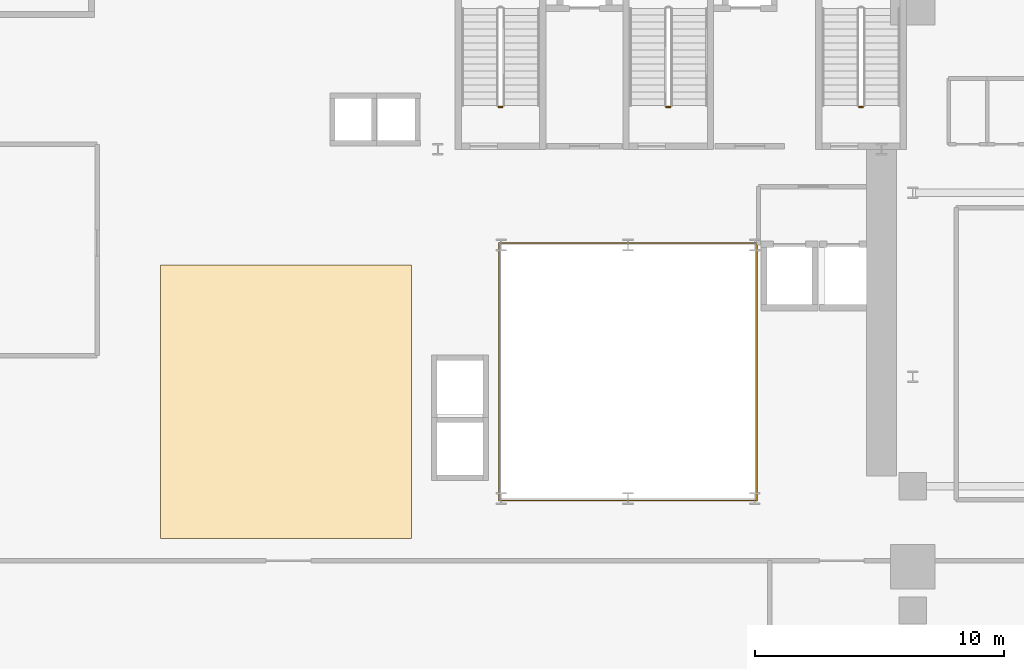
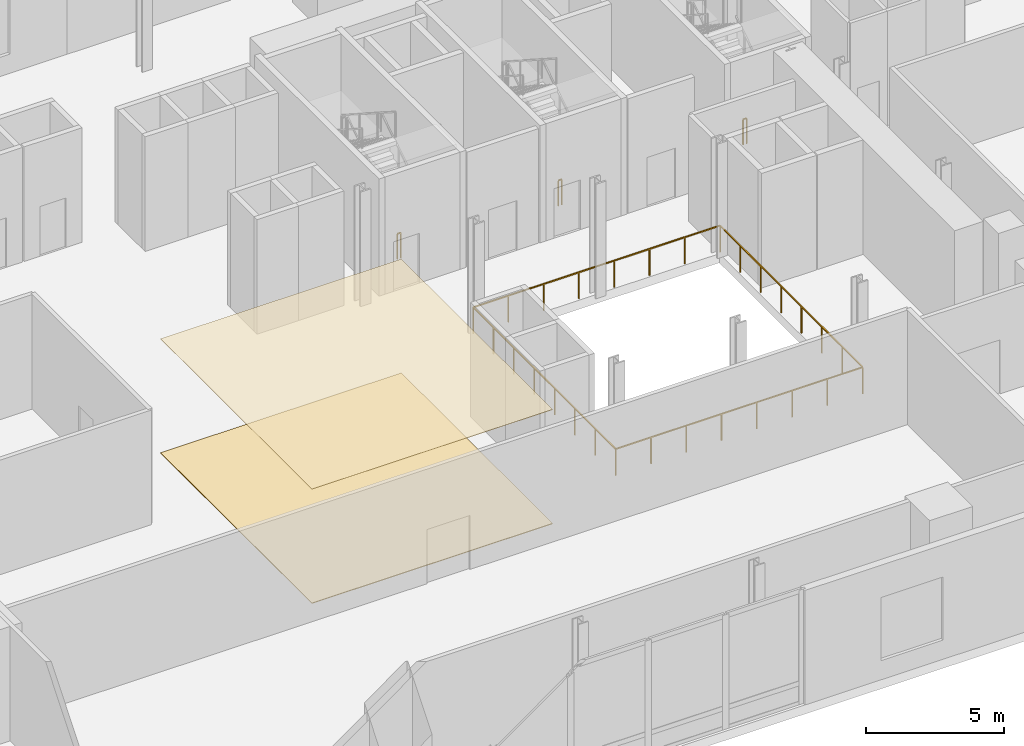
# One storey, part 10 of 12: 4 railings, 2 coverings.
"""IFC4 building model written with IfcOpenShell, lengths in metres."""

from ifc_helpers import new_model, si_unit, direction, frame, origin, origin_2d, place, context, subcontext, project, spatial, polyline, rectangle, outline, extrude, source, transform, mapped, material, layer, layer_set, type_object, element, save


model = new_model("IFC4")

# Units and contexts
model_context = context("Model", 3, precision=1e-05, world=origin(), true_north=direction((0.0, 1.0)))
body_context = subcontext(model_context, "Body", "Model", "MODEL_VIEW")
ifc_project = project(units=[si_unit("LENGTHUNIT", "METRE"), si_unit("AREAUNIT", "SQUARE_METRE"), si_unit("VOLUMEUNIT", "CUBIC_METRE"), si_unit("PLANEANGLEUNIT", "RADIAN"), si_unit("MASSUNIT", "GRAM", prefix="KILO")], contexts=[model_context])

# Site, building, storey
site_placement = place(None, origin())
site = spatial("IfcSite", under=ifc_project, at=site_placement, CompositionType="ELEMENT")
building_placement = place(site_placement, origin())
building = spatial("IfcBuilding", under=site, at=building_placement, Name="Vardaveli Station Tower", CompositionType="ELEMENT")
storey_placement = place(building_placement, frame((0.0, 0.0, 17.0)))
storey = spatial("IfcBuildingStorey", under=building, at=storey_placement, Name="L04", CompositionType="ELEMENT", Elevation=17.0)

# Coverings
ifc_material_1 = material(Name="Perforated acoustic mineral ceiling")
ifc_layer_1 = layer(ifc_material_1, 0.02001953125, Name="Perforated acoustic mineral ceiling")
ifc_layer_set_1 = layer_set([ifc_layer_1], Name="Perforated acoustic mineral ceiling")
covering_type_1 = type_object("IfcCoveringType", Name="COV-CEIL-AC20", PredefinedType="CEILING", material=ifc_layer_set_1)
covering_1_placement = place(storey_placement, frame((0.0, 0.0, 5.06494140625)))
element("IfcCovering", 1, at=covering_1_placement, inside=storey, type_object=covering_type_1, Name="CEIL-L04-1", PredefinedType="CEILING", context=body_context, shape_type="SweptSolid", body=[
    extrude(outline(polyline([(17.5, 15.0), (27.60009765625, 15.0), (27.60009765625, 26.0), (17.5, 26.0), (17.5, 15.0)])), origin(), (0.0, 0.0, 1.0), 0.02001953125),
])
ifc_material_2 = material(Name="Honed Caucasian basalt and travertine flooring", Category="masonry")
ifc_layer_2 = layer(ifc_material_2, 0.030029296875, Name="Honed Caucasian basalt and travertine flooring")
ifc_layer_set_2 = layer_set([ifc_layer_2], Name="Honed Caucasian basalt and travertine flooring")
covering_type_2 = type_object("IfcCoveringType", Name="COV-FLOOR-ST30", PredefinedType="FLOORING", material=ifc_layer_set_2)
covering_2_placement = place(storey_placement, origin())
element("IfcCovering", 2, at=covering_2_placement, inside=storey, type_object=covering_type_2, Name="FLR-L04-1", PredefinedType="FLOORING", context=body_context, shape_type="SweptSolid", body=[
    extrude(outline(polyline([(17.5, 15.0), (27.60009765625, 15.0), (27.60009765625, 26.0), (17.5, 26.0), (17.5, 15.0)])), origin(), (0.0, 0.0, 1.0), 0.030029296875),
])

# Railings
ifc_material_3 = material(Name="Brushed AISI 316 stainless steel", Category="steel")
railing_type_1 = type_object("IfcRailingType", Name="RL-GUARD-1150", PredefinedType="GUARDRAIL", material=ifc_material_3)
shared_shape_1 = source(origin(), body_context, "Body", "SweptSolid", [
    extrude(rectangle(XDim=0.048095703125, YDim=0.048095703125, at=origin_2d()), frame((0.0, 0.0, 1.1259765625), z_axis=(-1.0, 0.0, 0.0), x_axis=(0.0, -1.0, 0.0)), (0.0, 0.0, 1.0), 0.14990234375),
    extrude(rectangle(XDim=0.0419921875, YDim=0.0419921875, at=origin_2d()), origin(), (0.0, 0.0, 1.0), 1.101806640625),
    extrude(rectangle(XDim=0.0419921875, YDim=0.0419921875, at=origin_2d()), frame((-0.14990234375, 0.0, 0.0)), (0.0, 0.0, 1.0), 1.101806640625),
])
for number, where, name in (
    (3, (31.25, 32.35009765625, 0.0), "L04 ST-1 stair guard 4"),
    (4, (38.0, 32.35009765625, 0.0), "L04 ST-2 stair guard 4"),
    (5, (45.75, 32.35009765625, 0.0), "L04 ST-3 stair guard 4"),
):
    element("IfcRailing", number, at=place(storey_placement, frame(where)), inside=storey, type_object=railing_type_1, Name=name, PredefinedType="GUARDRAIL", context=body_context, shape_type="MappedRepresentation", body=[
        mapped(shared_shape_1, transform((0.0, 0.0, 0.0), scale=1.0)),
    ])
ifc_material_4 = material(Name="Laminated glass and stainless steel balustrade", Category="steel")
railing_type_2 = type_object("IfcRailingType", Name="RL-BAL-1200", PredefinedType="BALUSTRADE", material=ifc_material_4)
shared_shape_2 = source(origin(), body_context, "Body", "SweptSolid", [
    extrude(rectangle(XDim=0.048095703125, YDim=0.048095703125, at=origin_2d()), frame((0.0, 0.0, 1.17578125), z_axis=(1.0, 0.0, 0.0), x_axis=(0.0, 1.0, 0.0)), (0.0, 0.0, 1.0), 10.35986328125),
    extrude(rectangle(XDim=0.048095703125, YDim=0.048095703125, at=origin_2d()), frame((10.35986328125, 0.0, 1.17578125), z_axis=(0.0, 1.0, 0.0), x_axis=(-1.0, 0.0, 0.0)), (0.0, 0.0, 1.0), 10.35986328125),
    extrude(rectangle(XDim=0.048095703125, YDim=0.048095703125, at=origin_2d()), frame((10.35986328125, 10.35986328125, 1.17578125), z_axis=(-1.0, 0.0, 0.0), x_axis=(0.0, -1.0, 0.0)), (0.0, 0.0, 1.0), 10.35986328125),
    extrude(rectangle(XDim=0.048095703125, YDim=0.048095703125, at=origin_2d()), frame((0.0, 10.35986328125, 1.17578125), z_axis=(0.0, -1.0, 0.0), x_axis=(1.0, 0.0, 0.0)), (0.0, 0.0, 1.0), 10.35986328125),
    extrude(rectangle(XDim=0.0419921875, YDim=0.0419921875, at=origin_2d()), origin(), (0.0, 0.0, 1.0), 1.15185546875),
    extrude(rectangle(XDim=0.0419921875, YDim=0.0419921875, at=origin_2d()), frame((1.47998046875, 0.0, 0.0)), (0.0, 0.0, 1.0), 1.15185546875),
    extrude(rectangle(XDim=0.0419921875, YDim=0.0419921875, at=origin_2d()), frame((2.9599609375, 0.0, 0.0)), (0.0, 0.0, 1.0), 1.15185546875),
    extrude(rectangle(XDim=0.0419921875, YDim=0.0419921875, at=origin_2d()), frame((4.43994140625, 0.0, 0.0)), (0.0, 0.0, 1.0), 1.15185546875),
    extrude(rectangle(XDim=0.0419921875, YDim=0.0419921875, at=origin_2d()), frame((5.919921875, 0.0, 0.0)), (0.0, 0.0, 1.0), 1.15185546875),
    extrude(rectangle(XDim=0.0419921875, YDim=0.0419921875, at=origin_2d()), frame((7.39990234375, 0.0, 0.0)), (0.0, 0.0, 1.0), 1.15185546875),
    extrude(rectangle(XDim=0.0419921875, YDim=0.0419921875, at=origin_2d()), frame((8.8798828125, 0.0, 0.0)), (0.0, 0.0, 1.0), 1.15185546875),
    extrude(rectangle(XDim=0.0419921875, YDim=0.0419921875, at=origin_2d()), frame((10.35986328125, 0.0, 0.0)), (0.0, 0.0, 1.0), 1.15185546875),
    extrude(rectangle(XDim=0.0419921875, YDim=0.0419921875, at=origin_2d()), frame((10.35986328125, 1.47998046875, 0.0)), (0.0, 0.0, 1.0), 1.15185546875),
    extrude(rectangle(XDim=0.0419921875, YDim=0.0419921875, at=origin_2d()), frame((10.35986328125, 2.9599609375, 0.0)), (0.0, 0.0, 1.0), 1.15185546875),
    extrude(rectangle(XDim=0.0419921875, YDim=0.0419921875, at=origin_2d()), frame((10.35986328125, 4.43994140625, 0.0)), (0.0, 0.0, 1.0), 1.15185546875),
    extrude(rectangle(XDim=0.0419921875, YDim=0.0419921875, at=origin_2d()), frame((10.35986328125, 5.919921875, 0.0)), (0.0, 0.0, 1.0), 1.15185546875),
    extrude(rectangle(XDim=0.0419921875, YDim=0.0419921875, at=origin_2d()), frame((10.35986328125, 7.39990234375, 0.0)), (0.0, 0.0, 1.0), 1.15185546875),
    extrude(rectangle(XDim=0.0419921875, YDim=0.0419921875, at=origin_2d()), frame((10.35986328125, 8.8798828125, 0.0)), (0.0, 0.0, 1.0), 1.15185546875),
    extrude(rectangle(XDim=0.0419921875, YDim=0.0419921875, at=origin_2d()), frame((10.35986328125, 10.35986328125, 0.0)), (0.0, 0.0, 1.0), 1.15185546875),
    extrude(rectangle(XDim=0.0419921875, YDim=0.0419921875, at=origin_2d()), frame((8.8798828125, 10.35986328125, 0.0)), (0.0, 0.0, 1.0), 1.15185546875),
    extrude(rectangle(XDim=0.0419921875, YDim=0.0419921875, at=origin_2d()), frame((7.39990234375, 10.35986328125, 0.0)), (0.0, 0.0, 1.0), 1.15185546875),
    extrude(rectangle(XDim=0.0419921875, YDim=0.0419921875, at=origin_2d()), frame((5.919921875, 10.35986328125, 0.0)), (0.0, 0.0, 1.0), 1.15185546875),
    extrude(rectangle(XDim=0.0419921875, YDim=0.0419921875, at=origin_2d()), frame((4.43994140625, 10.35986328125, 0.0)), (0.0, 0.0, 1.0), 1.15185546875),
    extrude(rectangle(XDim=0.0419921875, YDim=0.0419921875, at=origin_2d()), frame((2.9599609375, 10.35986328125, 0.0)), (0.0, 0.0, 1.0), 1.15185546875),
    extrude(rectangle(XDim=0.0419921875, YDim=0.0419921875, at=origin_2d()), frame((1.47998046875, 10.35986328125, 0.0)), (0.0, 0.0, 1.0), 1.15185546875),
    extrude(rectangle(XDim=0.0419921875, YDim=0.0419921875, at=origin_2d()), frame((0.0, 10.35986328125, 0.0)), (0.0, 0.0, 1.0), 1.15185546875),
    extrude(rectangle(XDim=0.0419921875, YDim=0.0419921875, at=origin_2d()), frame((0.0, 8.8798828125, 0.0)), (0.0, 0.0, 1.0), 1.15185546875),
    extrude(rectangle(XDim=0.0419921875, YDim=0.0419921875, at=origin_2d()), frame((0.0, 7.39990234375, 0.0)), (0.0, 0.0, 1.0), 1.15185546875),
    extrude(rectangle(XDim=0.0419921875, YDim=0.0419921875, at=origin_2d()), frame((0.0, 5.919921875, 0.0)), (0.0, 0.0, 1.0), 1.15185546875),
    extrude(rectangle(XDim=0.0419921875, YDim=0.0419921875, at=origin_2d()), frame((0.0, 4.43994140625, 0.0)), (0.0, 0.0, 1.0), 1.15185546875),
    extrude(rectangle(XDim=0.0419921875, YDim=0.0419921875, at=origin_2d()), frame((0.0, 2.9599609375, 0.0)), (0.0, 0.0, 1.0), 1.15185546875),
    extrude(rectangle(XDim=0.0419921875, YDim=0.0419921875, at=origin_2d()), frame((0.0, 1.47998046875, 0.0)), (0.0, 0.0, 1.0), 1.15185546875),
])
railing_placement = place(storey_placement, frame((31.1201171875, 16.52001953125, 0.0)))
element("IfcRailing", 6, at=railing_placement, inside=storey, type_object=railing_type_2, Name="RL-ATR-L04", PredefinedType="BALUSTRADE", context=body_context, shape_type="MappedRepresentation", body=[
    mapped(shared_shape_2, transform((0.0, 0.0, 0.0), scale=1.0)),
])

save(model, "model.ifc")
